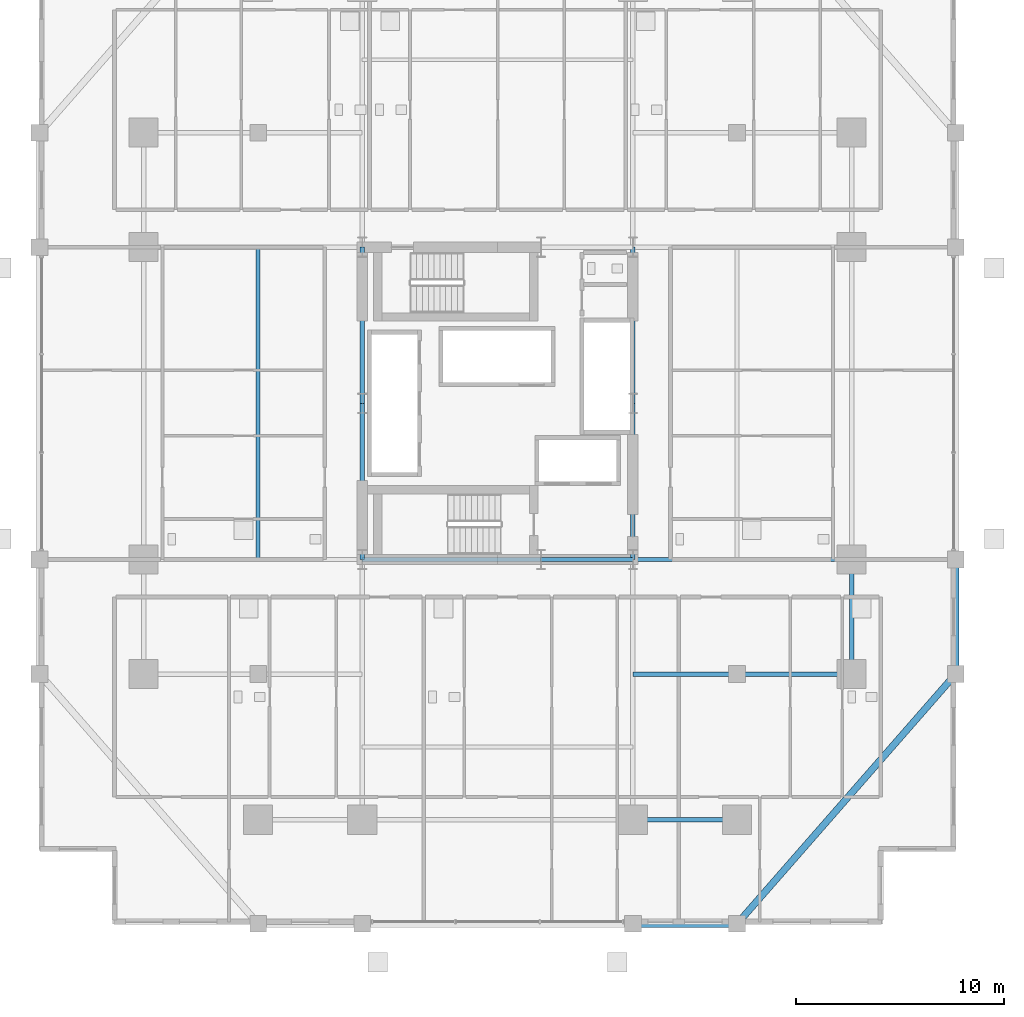
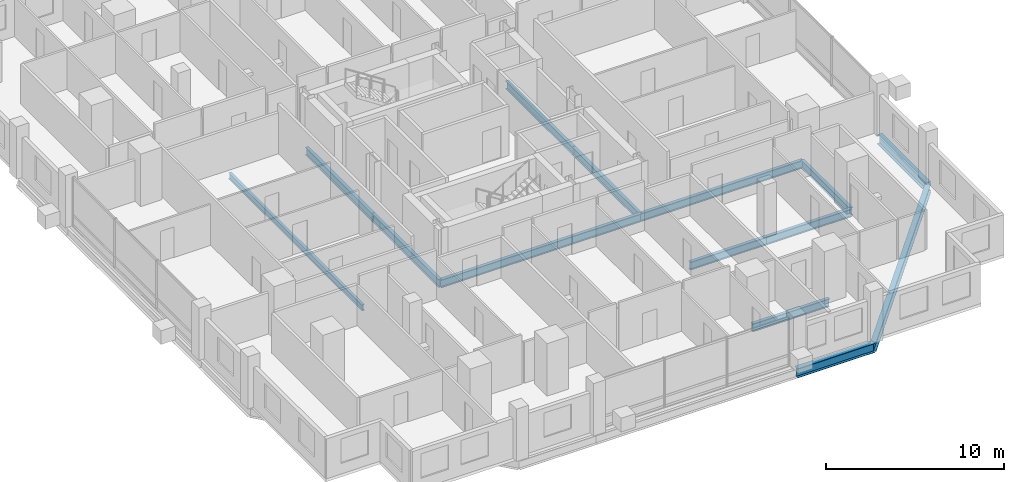
# One storey, part 7 of 24: 15 beams.
"""IFC4 building model written with IfcOpenShell, lengths in metres."""

from ifc_helpers import new_model, si_unit, direction, frame, origin, origin_2d, place, context, subcontext, project, spatial, i_section, extrude, material, material_profile, profile_set, type_object, element, save


model = new_model("IFC4")

# Units and contexts
model_context = context("Model", 3, precision=1e-05, world=origin(), true_north=direction((0.0, 1.0)))
body_context = subcontext(model_context, "Body", "Model", "MODEL_VIEW")
ifc_project = project(units=[si_unit("LENGTHUNIT", "METRE"), si_unit("AREAUNIT", "SQUARE_METRE"), si_unit("VOLUMEUNIT", "CUBIC_METRE"), si_unit("PLANEANGLEUNIT", "RADIAN"), si_unit("MASSUNIT", "GRAM", prefix="KILO")], contexts=[model_context])

# Site, building, storey
site_placement = place(None, origin())
site = spatial("IfcSite", under=ifc_project, at=site_placement, CompositionType="ELEMENT")
building_placement = place(site_placement, origin())
building = spatial("IfcBuilding", under=site, at=building_placement, Name="Barlavira Tower and Art Museum", CompositionType="ELEMENT")
storey_placement = place(building_placement, frame((0.0, 0.0, 43.199951171875)))
storey = spatial("IfcBuildingStorey", under=building, at=storey_placement, Name="L09", CompositionType="ELEMENT", Elevation=43.199951171875)

# Beams
ifc_material = material(Name="Steel S355", Category="steel")
ifc_material_profile_1 = material_profile(ifc_material, i_section(OverallWidth=0.327880859375, OverallDepth=0.62890625, WebThickness=0.013916015625, FlangeThickness=0.021484375, at=origin_2d()), Name="W610x174.0")
ifc_profile_set_1 = profile_set([ifc_material_profile_1], Name="Steel S355")
beam_type_1 = type_object("IfcBeamType", Name="Perimeter Spandrel Edge Beam W610x174 Steel S355", PredefinedType="SPANDREL", material=ifc_profile_set_1)
beam_1_placement = place(storey_placement, frame((6.5, -25.0, -0.534423828125), z_axis=(1.0, 0.0, 0.0), x_axis=(0.0, 1.0, 0.0)))
element("IfcBeam", 1, at=beam_1_placement, inside=storey, type_object=beam_type_1, Name="L09 Spandrel 3", PredefinedType="SPANDREL", context=body_context, shape_type="SweptSolid", body=[
    extrude(i_section(OverallWidth=0.327880859375, OverallDepth=0.62890625, WebThickness=0.013916015625, FlangeThickness=0.021484375, at=origin_2d()), origin(), (0.0, 0.0, 1.0), 5.0),
])
beam_2_placement = place(storey_placement, frame((11.5, -25.0, -0.534423828125), z_axis=(0.658504607869, 0.752576694707, 0.0), x_axis=(-0.752576694707, 0.658504607869, 0.0)))
element("IfcBeam", 2, at=beam_2_placement, inside=storey, type_object=beam_type_1, Name="L09 Spandrel 4", PredefinedType="SPANDREL", context=body_context, shape_type="SweptSolid", body=[
    extrude(i_section(OverallWidth=0.327880859375, OverallDepth=0.62890625, WebThickness=0.013916015625, FlangeThickness=0.021484375, at=origin_2d()), origin(), (0.0, 0.0, 1.0), 15.9453125),
])
beam_3_placement = place(storey_placement, frame((22.0, -13.0, -0.534423828125), z_axis=(0.0, 1.0, 0.0), x_axis=(-1.0, 0.0, 0.0)))
element("IfcBeam", 3, at=beam_3_placement, inside=storey, type_object=beam_type_1, Name="L09 Spandrel 5", PredefinedType="SPANDREL", context=body_context, shape_type="SweptSolid", body=[
    extrude(i_section(OverallWidth=0.327880859375, OverallDepth=0.62890625, WebThickness=0.013916015625, FlangeThickness=0.021484375, at=origin_2d()), origin(), (0.0, 0.0, 1.0), 5.5),
])
ifc_material_profile_2 = material_profile(ifc_material, i_section(OverallWidth=0.180908203125, OverallDepth=0.4169921875, WebThickness=0.010986328125, FlangeThickness=0.018310546875, at=origin_2d()), Name="W410x85.0")
ifc_profile_set_2 = profile_set([ifc_material_profile_2], Name="Steel S355")
beam_type_2 = type_object("IfcBeamType", Name="Zone 1 Composite Floor Joist W410x85 Steel S355", PredefinedType="JOIST", material=ifc_profile_set_2)
beam_4_placement = place(storey_placement, frame((-11.5, -7.5, -0.428466796875), z_axis=(0.0, 1.0, 0.0), x_axis=(-1.0, 0.0, 0.0)))
element("IfcBeam", 4, at=beam_4_placement, inside=storey, type_object=beam_type_2, Name="L09 Joist W1", PredefinedType="JOIST", context=body_context, shape_type="SweptSolid", body=[
    extrude(i_section(OverallWidth=0.180908203125, OverallDepth=0.4169921875, WebThickness=0.010986328125, FlangeThickness=0.018310546875, at=origin_2d()), origin(), (0.0, 0.0, 1.0), 15.0),
])
ifc_material_profile_3 = material_profile(ifc_material, i_section(OverallWidth=0.214111328125, OverallDepth=0.549072265625, WebThickness=0.0146484375, FlangeThickness=0.023681640625, at=origin_2d()), Name="W530x138.0")
ifc_profile_set_3 = profile_set([ifc_material_profile_3], Name="Steel S355")
beam_type_3 = type_object("IfcBeamType", Name="Zone 1 Primary Floor Girder W530x138 Steel S355", PredefinedType="BEAM", material=ifc_profile_set_3)
beam_5_placement = place(storey_placement, frame((-6.5, -7.5, -0.494384765625), z_axis=(1.0, 0.0, 0.0), x_axis=(0.0, 1.0, 0.0)))
element("IfcBeam", 5, at=beam_5_placement, inside=storey, type_object=beam_type_3, Name="L09 Girder C-S1", PredefinedType="BEAM", context=body_context, shape_type="SweptSolid", body=[
    extrude(i_section(OverallWidth=0.214111328125, OverallDepth=0.549072265625, WebThickness=0.0146484375, FlangeThickness=0.023681640625, at=origin_2d()), origin(), (0.0, 0.0, 1.0), 8.580078125),
])
beam_6_placement = place(storey_placement, frame((2.080078125, -7.5, -0.494384765625), z_axis=(1.0, 0.0, 0.0), x_axis=(0.0, 1.0, 0.0)))
element("IfcBeam", 6, at=beam_6_placement, inside=storey, type_object=beam_type_3, Name="L09 Girder C-S2", PredefinedType="BEAM", context=body_context, shape_type="SweptSolid", body=[
    extrude(i_section(OverallWidth=0.214111328125, OverallDepth=0.549072265625, WebThickness=0.0146484375, FlangeThickness=0.023681640625, at=origin_2d()), origin(), (0.0, 0.0, 1.0), 4.419921875),
])
for number, where, z_axis, x_axis, name in (
    (7, (-6.5, -7.5, -0.494384765625), (0.0, 1.0, 0.0), (-1.0, 0.0, 0.0), "L09 Girder C-W1"),
    (8, (-6.5, 0.0, -0.494384765625), (0.0, 1.0, 0.0), (-1.0, 0.0, 0.0), "L09 Girder C-W2"),
    (9, (6.5, -7.5, -0.494384765625), (0.0, 1.0, 0.0), (-1.0, 0.0, 0.0), "L09 Girder C-E1"),
    (10, (6.5, 0.0, -0.494384765625), (0.0, 1.0, 0.0), (-1.0, 0.0, 0.0), "L09 Girder C-E2"),
):
    element("IfcBeam", number, at=place(storey_placement, frame(where, z_axis=z_axis, x_axis=x_axis)), inside=storey, type_object=beam_type_3, Name=name, PredefinedType="BEAM", context=body_context, shape_type="SweptSolid", body=[
        extrude(i_section(OverallWidth=0.214111328125, OverallDepth=0.549072265625, WebThickness=0.0146484375, FlangeThickness=0.023681640625, at=origin_2d()), origin(), (0.0, 0.0, 1.0), 7.5),
    ])
beam_7_placement = place(storey_placement, frame((6.5, -20.0, -0.494384765625), z_axis=(1.0, 0.0, 0.0), x_axis=(0.0, 1.0, 0.0)))
element("IfcBeam", 11, at=beam_7_placement, inside=storey, type_object=beam_type_3, Name="L09 Girder M-S3", PredefinedType="BEAM", context=body_context, shape_type="SweptSolid", body=[
    extrude(i_section(OverallWidth=0.214111328125, OverallDepth=0.549072265625, WebThickness=0.0146484375, FlangeThickness=0.023681640625, at=origin_2d()), origin(), (0.0, 0.0, 1.0), 5.0),
])
beam_8_placement = place(storey_placement, frame((17.0, -13.0, -0.494384765625), z_axis=(0.0, 1.0, 0.0), x_axis=(-1.0, 0.0, 0.0)))
element("IfcBeam", 12, at=beam_8_placement, inside=storey, type_object=beam_type_3, Name="L09 Girder M-E1", PredefinedType="BEAM", context=body_context, shape_type="SweptSolid", body=[
    extrude(i_section(OverallWidth=0.214111328125, OverallDepth=0.549072265625, WebThickness=0.0146484375, FlangeThickness=0.023681640625, at=origin_2d()), origin(), (0.0, 0.0, 1.0), 5.5),
])
beam_9_placement = place(storey_placement, frame((6.5, -7.5, -0.494384765625), z_axis=(1.0, 0.0, 0.0), x_axis=(0.0, 1.0, 0.0)))
element("IfcBeam", 13, at=beam_9_placement, inside=storey, type_object=beam_type_3, Name="L09 Girder R-E1", PredefinedType="BEAM", context=body_context, shape_type="SweptSolid", body=[
    extrude(i_section(OverallWidth=0.214111328125, OverallDepth=0.549072265625, WebThickness=0.0146484375, FlangeThickness=0.023681640625, at=origin_2d()), origin(), (0.0, 0.0, 1.0), 10.5),
])
beam_10_placement = place(storey_placement, frame((6.5, -13.0, -0.494384765625), z_axis=(1.0, 0.0, 0.0), x_axis=(0.0, 1.0, 0.0)))
element("IfcBeam", 14, at=beam_10_placement, inside=storey, type_object=beam_type_3, Name="L09 Girder I-S3", PredefinedType="BEAM", context=body_context, shape_type="SweptSolid", body=[
    extrude(i_section(OverallWidth=0.214111328125, OverallDepth=0.549072265625, WebThickness=0.0146484375, FlangeThickness=0.023681640625, at=origin_2d()), origin(), (0.0, 0.0, 1.0), 5.0),
])
beam_11_placement = place(storey_placement, frame((11.5, -13.0, -0.494384765625), z_axis=(1.0, 0.0, 0.0), x_axis=(0.0, 1.0, 0.0)))
element("IfcBeam", 15, at=beam_11_placement, inside=storey, type_object=beam_type_3, Name="L09 Girder I-S4", PredefinedType="BEAM", context=body_context, shape_type="SweptSolid", body=[
    extrude(i_section(OverallWidth=0.214111328125, OverallDepth=0.549072265625, WebThickness=0.0146484375, FlangeThickness=0.023681640625, at=origin_2d()), origin(), (0.0, 0.0, 1.0), 5.5),
])

save(model, "model.ifc")
